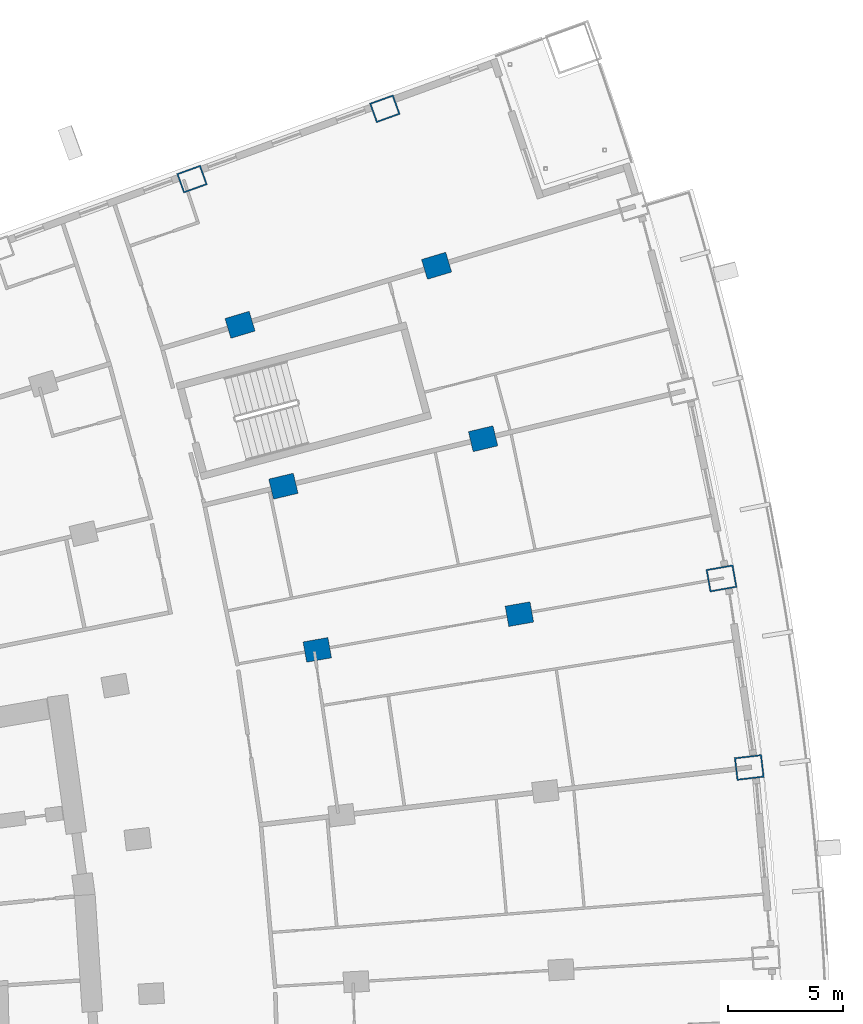
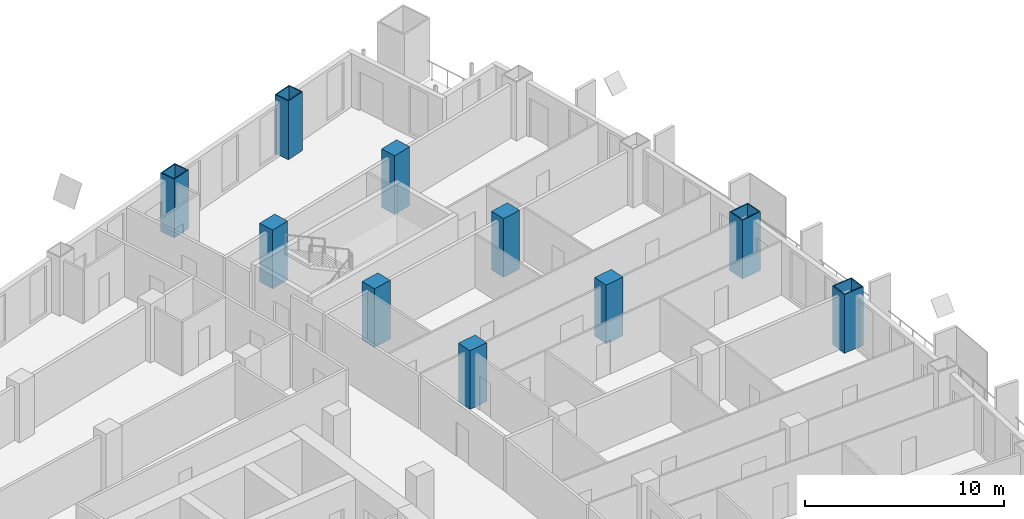
# One storey, part 10 of 25: 10 columns.
"""IFC4 building model written with IfcOpenShell, lengths in metres."""

from ifc_helpers import new_model, si_unit, direction, frame, origin, origin_2d, place, context, subcontext, project, spatial, rectangle, hollow_rectangle, extrude, material, material_profile, profile_set, type_object, element, save


model = new_model("IFC4")

# Units and contexts
model_context = context("Model", 3, precision=1e-05, world=origin(), true_north=direction((0.0, 1.0)))
body_context = subcontext(model_context, "Body", "Model", "MODEL_VIEW")
ifc_project = project(units=[si_unit("LENGTHUNIT", "METRE"), si_unit("AREAUNIT", "SQUARE_METRE"), si_unit("VOLUMEUNIT", "CUBIC_METRE"), si_unit("PLANEANGLEUNIT", "RADIAN"), si_unit("MASSUNIT", "GRAM", prefix="KILO")], contexts=[model_context])

# Site, building, storey
site_placement = place(None, origin())
site = spatial("IfcSite", under=ifc_project, at=site_placement, CompositionType="ELEMENT")
building_placement = place(site_placement, origin())
building = spatial("IfcBuilding", under=site, at=building_placement, Name="Alderwake Tower", CompositionType="ELEMENT")
storey_placement = place(building_placement, frame((0.0, 0.0, 60.800048828125)))
storey = spatial("IfcBuildingStorey", under=building, at=storey_placement, Name="L14", CompositionType="ELEMENT", Elevation=60.800048828125)

# Columns
ifc_material_1 = material(Name="Steel ASTM A572 Grade 50 concrete filled C70/85", Category="concrete")
ifc_material_profile_1 = material_profile(ifc_material_1, hollow_rectangle(XDim=0.89990234375, YDim=1.10009765625, WallThickness=0.06005859375, at=origin_2d()), Name="BOX 1100X900X60")
ifc_profile_set_1 = profile_set([ifc_material_profile_1], Name="Steel ASTM A572 Grade 50 concrete filled C70/85")
column_type_1 = type_object("IfcColumnType", Name="End column Z1", PredefinedType="COLUMN", material=ifc_profile_set_1)
for number, where, z_axis, x_axis, name in (
    (1, (37.37548828125, 103.206787109375, 0.0), (0.0, 0.0, 1.0), (-0.338374980629, 0.941011356193, 0.0), "Column R13-C3"),
    (2, (45.767333984375, 106.27001953125, 0.0), (0.0, 0.0, 1.0), (-0.33867716011, 0.940902641733, 0.0), "Column R13-C4"),
):
    element("IfcColumn", number, at=place(storey_placement, frame(where, z_axis=z_axis, x_axis=x_axis)), inside=storey, type_object=column_type_1, Name=name, PredefinedType="COLUMN", context=body_context, shape_type="SweptSolid", body=[
        extrude(hollow_rectangle(XDim=0.89990234375, YDim=1.10009765625, WallThickness=0.06005859375, at=origin_2d()), origin(), (0.0, 0.0, 1.0), 3.599853515625),
    ])
ifc_material_2 = material(Name="Concrete C70/85", Category="concrete")
ifc_material_profile_2 = material_profile(ifc_material_2, rectangle(XDim=0.89990234375, YDim=1.10009765625, at=origin_2d()), Name="RC 1100X900")
ifc_profile_set_2 = profile_set([ifc_material_profile_2], Name="Concrete C70/85")
column_type_2 = type_object("IfcColumnType", Name="Interior column Z1", PredefinedType="COLUMN", material=ifc_profile_set_2)
for number, where, z_axis, x_axis, name in (
    (3, (42.828125, 82.717041015625, 0.0), (0.0, 0.0, 1.0), (-0.174108800747, 0.984726421654, 0.0), "Column R10-C3"),
    (4, (51.625, 84.2724609375, 0.0), (0.0, 0.0, 1.0), (-0.174108800747, 0.984726421654, 0.0), "Column R10-C4"),
    (5, (41.353271484375, 89.841064453125, 0.0), (0.0, 0.0, 1.0), (-0.231221547198, 0.972901123502, 0.0), "Column R11-C3"),
    (6, (50.04443359375, 91.90673828125, 0.0), (0.0, 0.0, 1.0), (-0.231221547198, 0.972901123502, 0.0), "Column R11-C4"),
    (7, (39.46533203125, 96.866943359375, 0.0), (0.0, 0.0, 1.0), (-0.287549418125, 0.957765802342, 0.0), "Column R12-C3"),
    (8, (48.021484375, 99.435791015625, 0.0), (0.0, 0.0, 1.0), (-0.287549418125, 0.957765802342, 0.0), "Column R12-C4"),
):
    element("IfcColumn", number, at=place(storey_placement, frame(where, z_axis=z_axis, x_axis=x_axis)), inside=storey, type_object=column_type_2, Name=name, PredefinedType="COLUMN", context=body_context, shape_type="SweptSolid", body=[
        extrude(rectangle(XDim=0.89990234375, YDim=1.10009765625, at=origin_2d()), origin(), (0.0, 0.0, 1.0), 3.599853515625),
    ])
ifc_material_3 = material(Name="Steel ASTM A572 Grade 50 concrete filled C70/85", Category="concrete")
ifc_material_profile_3 = material_profile(ifc_material_3, hollow_rectangle(XDim=1.0, YDim=1.199951171875, WallThickness=0.06005859375, at=origin_2d()), Name="BOX 1200X1000X60")
ifc_profile_set_3 = profile_set([ifc_material_profile_3], Name="Steel ASTM A572 Grade 50 concrete filled C70/85")
column_type_3 = type_object("IfcColumnType", Name="Perimeter column Z1", PredefinedType="COLUMN", material=ifc_profile_set_3)
for number, where, z_axis, x_axis, name in (
    (9, (61.630615234375, 77.59912109375, 0.0), (0.0, 0.0, 1.0), (-0.116402054316, 0.993202175668, 0.0), "Column R09-C5"),
    (10, (60.422119140625, 85.827880859375, 0.0), (0.0, 0.0, 1.0), (-0.174108800747, 0.984726421654, 0.0), "Column R10-C5"),
):
    element("IfcColumn", number, at=place(storey_placement, frame(where, z_axis=z_axis, x_axis=x_axis)), inside=storey, type_object=column_type_3, Name=name, PredefinedType="COLUMN", context=body_context, shape_type="SweptSolid", body=[
        extrude(hollow_rectangle(XDim=1.0, YDim=1.199951171875, WallThickness=0.06005859375, at=origin_2d()), origin(), (0.0, 0.0, 1.0), 3.599853515625),
    ])

save(model, "model.ifc")
